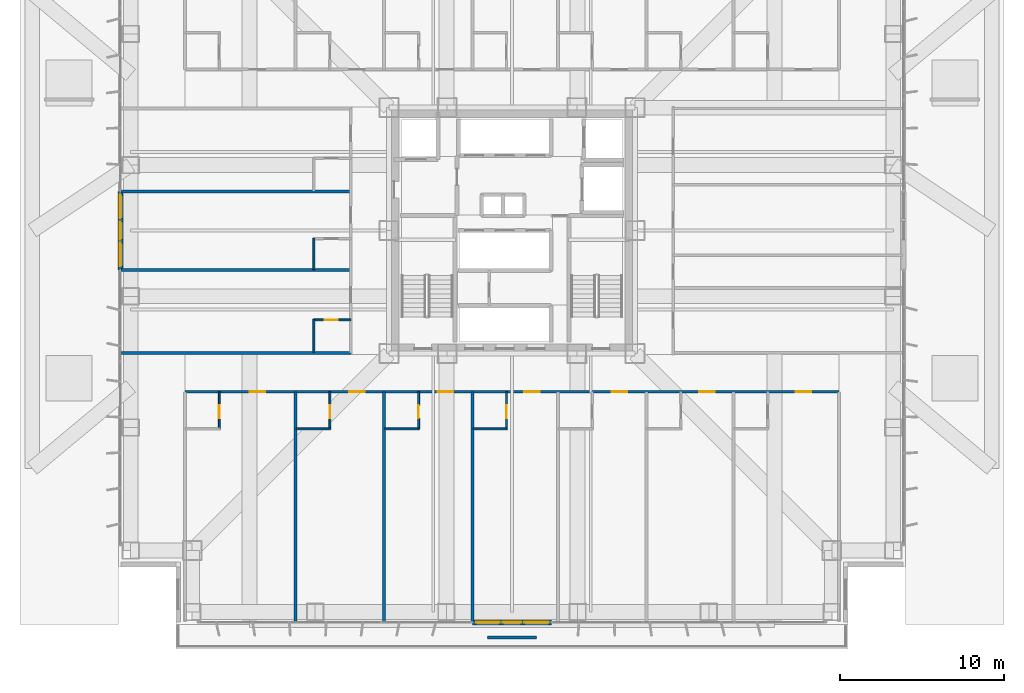
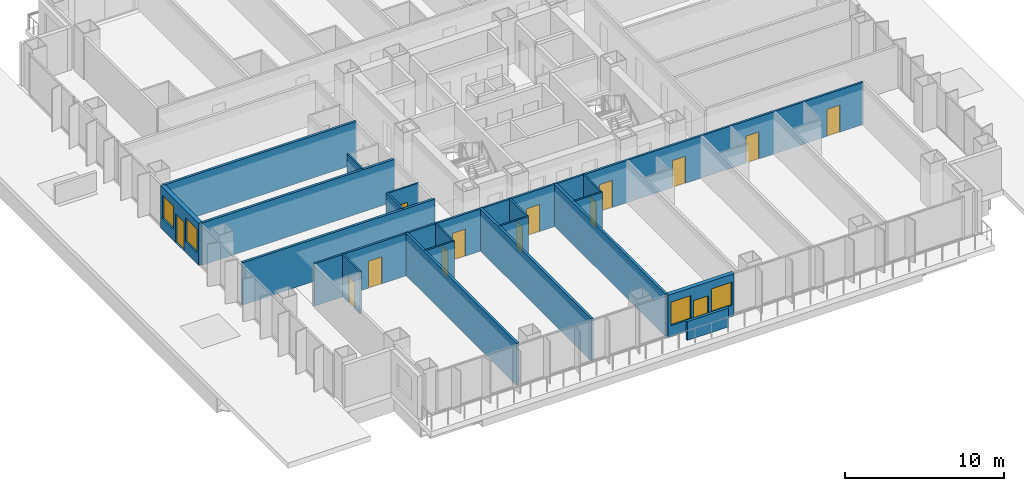
# One storey, part 15 of 24: 20 walls, 14 doors, 4 windows, 18 openings.
"""IFC4 building model written with IfcOpenShell, lengths in metres."""

from ifc_helpers import new_model, si_unit, direction, frame, frame_2d, origin, place, context, subcontext, project, spatial, rectangle, extrude, material, layer, layer_set, type_object, element, fill, save


model = new_model("IFC4")

# Units and contexts
model_context = context("Model", 3, precision=1e-05, world=origin(), true_north=direction((0.0, 1.0)))
body_context = subcontext(model_context, "Body", "Model", "MODEL_VIEW")
ifc_project = project(units=[si_unit("LENGTHUNIT", "METRE"), si_unit("AREAUNIT", "SQUARE_METRE"), si_unit("VOLUMEUNIT", "CUBIC_METRE"), si_unit("PLANEANGLEUNIT", "RADIAN"), si_unit("MASSUNIT", "GRAM", prefix="KILO")], contexts=[model_context])

# Site, building, storey
site_placement = place(None, origin())
site = spatial("IfcSite", under=ifc_project, at=site_placement, CompositionType="ELEMENT")
building_placement = place(site_placement, origin())
building = spatial("IfcBuilding", under=site, at=building_placement, Name="Trevonay Congress Spire", CompositionType="ELEMENT")
storey_placement = place(building_placement, frame((0.0, 0.0, 27.0)))
storey = spatial("IfcBuildingStorey", under=building, at=storey_placement, Name="L05", CompositionType="ELEMENT", Elevation=27.0)

# Wall, opening, door
ifc_material_1 = material(Name="Concrete C40/50", Category="concrete")
ifc_layer_1 = layer(ifc_material_1, 0.1201171875, Name="Concrete C40/50")
ifc_layer_set_1 = layer_set([ifc_layer_1], Name="Concrete C40/50")
wall_type_1 = type_object("IfcWallType", Name="WAL-BATH-120", PredefinedType="PLUMBINGWALL", material=ifc_layer_set_1)
wall_1_placement = place(storey_placement, frame((-17.85009765625, -12.080078125, 0.0), z_axis=(0.0, 0.0, 1.0), x_axis=(0.0, 1.0, 0.0)))
wall_1 = element("IfcWall", 1, at=wall_1_placement, inside=storey, type_object=wall_type_1, Name="L05 interior wall WH-L05S-BS1", PredefinedType="PLUMBINGWALL", context=body_context, shape_type="SweptSolid", body=[
    extrude(rectangle(XDim=2.25, YDim=0.1201171875, at=frame_2d((1.125, 0.0))), origin(), (0.0, 0.0, 1.0), 3.25),
])
opening_1_placement = place(wall_1_placement, frame((0.64990234375, 0.0, 0.0)))
opening_1 = element("IfcOpeningElement", 2, at=opening_1_placement, cuts=wall_1, Name="Opening D11", PredefinedType="OPENING", context=body_context, shape_type="SweptSolid", body=[
    extrude(rectangle(XDim=0.800048828125, YDim=2.050048828125, at=frame_2d((0.39990234375, 1.02490234375))), frame((0.0, 0.070068359375, 0.0), z_axis=(0.0, -1.0, 0.0), x_axis=(1.0, 0.0, 0.0)), (0.0, 0.0, 1.0), 0.14013671875),
])
ifc_material_2 = material(Name="Pale Anodised Aluminium EN AW-6063-T6", Category="aluminium")
door_type_1 = type_object("IfcDoorType", Name="DOR-BATH-80", OperationType="NOTDEFINED", PredefinedType="DOOR", material=ifc_material_2)
door_1_placement = place(opening_1_placement, origin())
door_1 = element("IfcDoor", 3, at=door_1_placement, inside=storey, type_object=door_type_1, Name="L05 En-suite Bathroom Door", OperationType="SINGLE_SWING_RIGHT", OverallHeight=2.050048828125, OverallWidth=0.800048828125, PredefinedType="DOOR", context=body_context, shape_type="SweptSolid", body=[
    extrude(rectangle(XDim=0.800048828125, YDim=2.050048828125, at=frame_2d((0.39990234375, 1.02490234375))), frame((0.0, 0.02490234375, 0.0), z_axis=(0.0, -1.0, 0.0), x_axis=(1.0, 0.0, 0.0)), (0.0, 0.0, 1.0), 0.050048828125),
])
fill(opening_1, door_1)

wall_2_placement = place(storey_placement, frame((-11.10009765625, -12.080078125, 0.0), z_axis=(0.0, 0.0, 1.0), x_axis=(0.0, 1.0, 0.0)))
wall_2 = element("IfcWall", 4, at=wall_2_placement, inside=storey, type_object=wall_type_1, Name="L05 interior wall WH-L05S-BS2", PredefinedType="PLUMBINGWALL", context=body_context, shape_type="SweptSolid", body=[
    extrude(rectangle(XDim=2.25, YDim=0.1201171875, at=frame_2d((1.125, 0.0))), origin(), (0.0, 0.0, 1.0), 3.25),
])
opening_2_placement = place(wall_2_placement, frame((0.64990234375, 0.0, 0.0)))
opening_2 = element("IfcOpeningElement", 5, at=opening_2_placement, cuts=wall_2, Name="Opening D11", PredefinedType="OPENING", context=body_context, shape_type="SweptSolid", body=[
    extrude(rectangle(XDim=0.800048828125, YDim=2.050048828125, at=frame_2d((0.39990234375, 1.02490234375))), frame((0.0, 0.070068359375, 0.0), z_axis=(0.0, -1.0, 0.0), x_axis=(1.0, 0.0, 0.0)), (0.0, 0.0, 1.0), 0.14013671875),
])
door_2_placement = place(opening_2_placement, origin())
door_2 = element("IfcDoor", 6, at=door_2_placement, inside=storey, type_object=door_type_1, Name="L05 En-suite Bathroom Door", OperationType="SINGLE_SWING_LEFT", OverallHeight=2.050048828125, OverallWidth=0.800048828125, PredefinedType="DOOR", context=body_context, shape_type="SweptSolid", body=[
    extrude(rectangle(XDim=0.800048828125, YDim=2.050048828125, at=frame_2d((0.39990234375, 1.02490234375))), frame((0.0, 0.02490234375, 0.0), z_axis=(0.0, -1.0, 0.0), x_axis=(1.0, 0.0, 0.0)), (0.0, 0.0, 1.0), 0.050048828125),
])
fill(opening_2, door_2)

# Wall
wall_3_placement = place(storey_placement, frame((-13.169921875, -12.080078125, 0.0), z_axis=(0.0, 0.0, 1.0), x_axis=(1.0, 0.0, 0.0)))
element("IfcWall", 7, at=wall_3_placement, inside=storey, type_object=wall_type_1, Name="L05 interior wall WH-L05S-BF2", PredefinedType="PLUMBINGWALL", context=body_context, shape_type="SweptSolid", body=[
    extrude(rectangle(XDim=2.099853515625, YDim=0.1201171875, at=frame_2d((1.0498046875, 0.0))), origin(), (0.0, 0.0, 1.0), 3.25),
])

# Wall, opening, door
wall_4_placement = place(storey_placement, frame((-5.699951171875, -12.080078125, 0.0), z_axis=(0.0, 0.0, 1.0), x_axis=(0.0, 1.0, 0.0)))
wall_4 = element("IfcWall", 8, at=wall_4_placement, inside=storey, type_object=wall_type_1, Name="L05 interior wall WH-L05S-BS3", PredefinedType="PLUMBINGWALL", context=body_context, shape_type="SweptSolid", body=[
    extrude(rectangle(XDim=2.25, YDim=0.1201171875, at=frame_2d((1.125, 0.0))), origin(), (0.0, 0.0, 1.0), 3.25),
])
opening_3_placement = place(wall_4_placement, frame((0.64990234375, 0.0, 0.0)))
opening_3 = element("IfcOpeningElement", 9, at=opening_3_placement, cuts=wall_4, Name="Opening D11", PredefinedType="OPENING", context=body_context, shape_type="SweptSolid", body=[
    extrude(rectangle(XDim=0.800048828125, YDim=2.050048828125, at=frame_2d((0.39990234375, 1.02490234375))), frame((0.0, 0.070068359375, 0.0), z_axis=(0.0, -1.0, 0.0), x_axis=(1.0, 0.0, 0.0)), (0.0, 0.0, 1.0), 0.14013671875),
])
door_3_placement = place(opening_3_placement, origin())
door_3 = element("IfcDoor", 10, at=door_3_placement, inside=storey, type_object=door_type_1, Name="L05 En-suite Bathroom Door", OperationType="SINGLE_SWING_RIGHT", OverallHeight=2.050048828125, OverallWidth=0.800048828125, PredefinedType="DOOR", context=body_context, shape_type="SweptSolid", body=[
    extrude(rectangle(XDim=0.800048828125, YDim=2.050048828125, at=frame_2d((0.39990234375, 1.02490234375))), frame((0.0, 0.02490234375, 0.0), z_axis=(0.0, -1.0, 0.0), x_axis=(1.0, 0.0, 0.0)), (0.0, 0.0, 1.0), 0.050048828125),
])
fill(opening_3, door_3)

# Wall
wall_5_placement = place(storey_placement, frame((-7.77001953125, -12.080078125, 0.0), z_axis=(0.0, 0.0, 1.0), x_axis=(1.0, 0.0, 0.0)))
element("IfcWall", 11, at=wall_5_placement, inside=storey, type_object=wall_type_1, Name="L05 interior wall WH-L05S-BF3", PredefinedType="PLUMBINGWALL", context=body_context, shape_type="SweptSolid", body=[
    extrude(rectangle(XDim=2.10009765625, YDim=0.1201171875, at=frame_2d((1.050048828125, 0.0))), origin(), (0.0, 0.0, 1.0), 3.25),
])

# Wall, opening, door
wall_6_placement = place(storey_placement, frame((-0.3349609375, -12.080078125, 0.0), z_axis=(0.0, 0.0, 1.0), x_axis=(0.0, 1.0, 0.0)))
wall_6 = element("IfcWall", 12, at=wall_6_placement, inside=storey, type_object=wall_type_1, Name="L05 interior wall WH-L05S-BS4", PredefinedType="PLUMBINGWALL", context=body_context, shape_type="SweptSolid", body=[
    extrude(rectangle(XDim=2.25, YDim=0.1201171875, at=frame_2d((1.125, 0.0))), origin(), (0.0, 0.0, 1.0), 3.25),
])
opening_4_placement = place(wall_6_placement, frame((0.64990234375, 0.0, 0.0)))
opening_4 = element("IfcOpeningElement", 13, at=opening_4_placement, cuts=wall_6, Name="Opening D11", PredefinedType="OPENING", context=body_context, shape_type="SweptSolid", body=[
    extrude(rectangle(XDim=0.800048828125, YDim=2.050048828125, at=frame_2d((0.39990234375, 1.02490234375))), frame((0.0, 0.070068359375, 0.0), z_axis=(0.0, -1.0, 0.0), x_axis=(1.0, 0.0, 0.0)), (0.0, 0.0, 1.0), 0.14013671875),
])
door_4_placement = place(opening_4_placement, origin())
door_4 = element("IfcDoor", 14, at=door_4_placement, inside=storey, type_object=door_type_1, Name="L05 En-suite Bathroom Door", OperationType="SINGLE_SWING_LEFT", OverallHeight=2.050048828125, OverallWidth=0.800048828125, PredefinedType="DOOR", context=body_context, shape_type="SweptSolid", body=[
    extrude(rectangle(XDim=0.800048828125, YDim=2.050048828125, at=frame_2d((0.39990234375, 1.02490234375))), frame((0.0, 0.02490234375, 0.0), z_axis=(0.0, -1.0, 0.0), x_axis=(1.0, 0.0, 0.0)), (0.0, 0.0, 1.0), 0.050048828125),
])
fill(opening_4, door_4)

# Wall
wall_7_placement = place(storey_placement, frame((-2.3701171875, -12.080078125, 0.0), z_axis=(0.0, 0.0, 1.0), x_axis=(1.0, 0.0, 0.0)))
element("IfcWall", 15, at=wall_7_placement, inside=storey, type_object=wall_type_1, Name="L05 interior wall WH-L05S-BF4", PredefinedType="PLUMBINGWALL", context=body_context, shape_type="SweptSolid", body=[
    extrude(rectangle(XDim=2.065185546875, YDim=0.1201171875, at=frame_2d((1.03271484375, 0.0))), origin(), (0.0, 0.0, 1.0), 3.25),
])

# Wall, opening, door
wall_8_placement = place(storey_placement, frame((-12.080078125, -5.44189453125, 0.0), z_axis=(0.0, 0.0, 1.0), x_axis=(1.0, 0.0, 0.0)))
wall_8 = element("IfcWall", 16, at=wall_8_placement, inside=storey, type_object=wall_type_1, Name="L05 interior wall WH-L05W-BS1", PredefinedType="PLUMBINGWALL", context=body_context, shape_type="SweptSolid", body=[
    extrude(rectangle(XDim=2.25, YDim=0.1201171875, at=frame_2d((1.125, 0.0))), origin(), (0.0, 0.0, 1.0), 3.25),
])
opening_5_placement = place(wall_8_placement, frame((0.64990234375, 0.0, 0.0)))
opening_5 = element("IfcOpeningElement", 17, at=opening_5_placement, cuts=wall_8, Name="Opening D11", PredefinedType="OPENING", context=body_context, shape_type="SweptSolid", body=[
    extrude(rectangle(XDim=0.800048828125, YDim=2.050048828125, at=frame_2d((0.39990234375, 1.02490234375))), frame((0.0, 0.070068359375, 0.0), z_axis=(0.0, -1.0, 0.0), x_axis=(1.0, 0.0, 0.0)), (0.0, 0.0, 1.0), 0.14013671875),
])
door_5_placement = place(opening_5_placement, origin())
door_5 = element("IfcDoor", 18, at=door_5_placement, inside=storey, type_object=door_type_1, Name="L05 En-suite Bathroom Door", OperationType="SINGLE_SWING_RIGHT", OverallHeight=2.050048828125, OverallWidth=0.800048828125, PredefinedType="DOOR", context=body_context, shape_type="SweptSolid", body=[
    extrude(rectangle(XDim=0.800048828125, YDim=2.050048828125, at=frame_2d((0.39990234375, 1.02490234375))), frame((0.0, 0.02490234375, 0.0), z_axis=(0.0, -1.0, 0.0), x_axis=(1.0, 0.0, 0.0)), (0.0, 0.0, 1.0), 0.050048828125),
])
fill(opening_5, door_5)

# Walls
wall_9_placement = place(storey_placement, frame((-12.080078125, -7.419921875, 0.0), z_axis=(0.0, 0.0, 1.0), x_axis=(0.0, 1.0, 0.0)))
element("IfcWall", 19, at=wall_9_placement, inside=storey, type_object=wall_type_1, Name="L05 interior wall WH-L05W-BF1", PredefinedType="PLUMBINGWALL", context=body_context, shape_type="SweptSolid", body=[
    extrude(rectangle(XDim=2.0078125, YDim=0.1201171875, at=frame_2d((1.00390625, 0.0))), origin(), (0.0, 0.0, 1.0), 3.25),
])
wall_10_placement = place(storey_placement, frame((-12.080078125, -2.3701171875, 0.0), z_axis=(0.0, 0.0, 1.0), x_axis=(0.0, 1.0, 0.0)))
element("IfcWall", 20, at=wall_10_placement, inside=storey, type_object=wall_type_1, Name="L05 interior wall WH-L05W-BF2", PredefinedType="PLUMBINGWALL", context=body_context, shape_type="SweptSolid", body=[
    extrude(rectangle(XDim=1.9130859375, YDim=0.1201171875, at=frame_2d((0.95654296875, 0.0))), origin(), (0.0, 0.0, 1.0), 3.25),
])

# Wall, openings, doors
ifc_layer_2 = layer(ifc_material_1, 0.14990234375, Name="Concrete C40/50")
ifc_layer_set_2 = layer_set([ifc_layer_2], Name="Concrete C40/50")
wall_type_2 = type_object("IfcWallType", Name="WAL-CORR-150", PredefinedType="PARTITIONING", material=ifc_layer_set_2)
wall_11_placement = place(storey_placement, frame((-19.949951171875, -9.830078125, 0.0), z_axis=(0.0, 0.0, 1.0), x_axis=(1.0, 0.0, 0.0)))
wall_11 = element("IfcWall", 21, at=wall_11_placement, inside=storey, type_object=wall_type_2, Name="L05 interior wall WH-L05S-COR", PredefinedType="PARTITIONING", context=body_context, shape_type="SweptSolid", body=[
    extrude(rectangle(XDim=39.89990234375, YDim=0.14990234375, at=frame_2d((19.949951171875, 0.0))), origin(), (0.0, 0.0, 1.0), 3.25),
])
opening_6_placement = place(wall_11_placement, frame((3.945068359375, 0.0, 0.0)))
opening_6 = element("IfcOpeningElement", 22, at=opening_6_placement, cuts=wall_11, Name="Opening D08", PredefinedType="OPENING", context=body_context, shape_type="SweptSolid", body=[
    extrude(rectangle(XDim=0.949951171875, YDim=2.080078125, at=frame_2d((0.47509765625, 1.0400390625))), frame((0.0, 0.0849609375, 0.0), z_axis=(0.0, -1.0, 0.0), x_axis=(1.0, 0.0, 0.0)), (0.0, 0.0, 1.0), 0.169921875),
])
opening_7_placement = place(wall_11_placement, frame((10.02001953125, 0.0, 0.0)))
opening_7 = element("IfcOpeningElement", 23, at=opening_7_placement, cuts=wall_11, Name="Opening D08", PredefinedType="OPENING", context=body_context, shape_type="SweptSolid", body=[
    extrude(rectangle(XDim=0.949951171875, YDim=2.080078125, at=frame_2d((0.47509765625, 1.0400390625))), frame((0.0, 0.0849609375, 0.0), z_axis=(0.0, -1.0, 0.0), x_axis=(1.0, 0.0, 0.0)), (0.0, 0.0, 1.0), 0.169921875),
])
opening_8_placement = place(wall_11_placement, frame((15.419921875, 0.0, 0.0)))
opening_8 = element("IfcOpeningElement", 24, at=opening_8_placement, cuts=wall_11, Name="Opening D08", PredefinedType="OPENING", context=body_context, shape_type="SweptSolid", body=[
    extrude(rectangle(XDim=0.949951171875, YDim=2.080078125, at=frame_2d((0.47509765625, 1.0400390625))), frame((0.0, 0.0849609375, 0.0), z_axis=(0.0, -1.0, 0.0), x_axis=(1.0, 0.0, 0.0)), (0.0, 0.0, 1.0), 0.169921875),
])
opening_9_placement = place(wall_11_placement, frame((20.702392578125, 0.0, 0.0)))
opening_9 = element("IfcOpeningElement", 25, at=opening_9_placement, cuts=wall_11, Name="Opening D08", PredefinedType="OPENING", context=body_context, shape_type="SweptSolid", body=[
    extrude(rectangle(XDim=0.949951171875, YDim=2.080078125, at=frame_2d((0.47509765625, 1.0400390625))), frame((0.0, 0.0849609375, 0.0), z_axis=(0.0, -1.0, 0.0), x_axis=(1.0, 0.0, 0.0)), (0.0, 0.0, 1.0), 0.169921875),
])
opening_10_placement = place(wall_11_placement, frame((26.02001953125, 0.0, 0.0)))
opening_10 = element("IfcOpeningElement", 26, at=opening_10_placement, cuts=wall_11, Name="Opening D08", PredefinedType="OPENING", context=body_context, shape_type="SweptSolid", body=[
    extrude(rectangle(XDim=0.949951171875, YDim=2.080078125, at=frame_2d((0.47509765625, 1.0400390625))), frame((0.0, 0.0849609375, 0.0), z_axis=(0.0, -1.0, 0.0), x_axis=(1.0, 0.0, 0.0)), (0.0, 0.0, 1.0), 0.169921875),
])
opening_11_placement = place(wall_11_placement, frame((31.3701171875, 0.0, 0.0)))
opening_11 = element("IfcOpeningElement", 27, at=opening_11_placement, cuts=wall_11, Name="Opening D08", PredefinedType="OPENING", context=body_context, shape_type="SweptSolid", body=[
    extrude(rectangle(XDim=0.949951171875, YDim=2.080078125, at=frame_2d((0.47509765625, 1.0400390625))), frame((0.0, 0.0849609375, 0.0), z_axis=(0.0, -1.0, 0.0), x_axis=(1.0, 0.0, 0.0)), (0.0, 0.0, 1.0), 0.169921875),
])
opening_12_placement = place(wall_11_placement, frame((37.2451171875, 0.0, 0.0)))
opening_12 = element("IfcOpeningElement", 28, at=opening_12_placement, cuts=wall_11, Name="Opening D08", PredefinedType="OPENING", context=body_context, shape_type="SweptSolid", body=[
    extrude(rectangle(XDim=0.949951171875, YDim=2.080078125, at=frame_2d((0.47509765625, 1.0400390625))), frame((0.0, 0.0849609375, 0.0), z_axis=(0.0, -1.0, 0.0), x_axis=(1.0, 0.0, 0.0)), (0.0, 0.0, 1.0), 0.169921875),
])
door_type_2 = type_object("IfcDoorType", Name="DOR-SUITE-95", OperationType="NOTDEFINED", PredefinedType="DOOR", material=ifc_material_2)
door_6_placement = place(opening_6_placement, origin())
door_6 = element("IfcDoor", 29, at=door_6_placement, inside=storey, type_object=door_type_2, Name="L05 Corner Hotel Suite Entrance Door", OperationType="SINGLE_SWING_LEFT", OverallHeight=2.080078125, OverallWidth=0.949951171875, PredefinedType="DOOR", context=body_context, shape_type="SweptSolid", body=[
    extrude(rectangle(XDim=0.949951171875, YDim=2.080078125, at=frame_2d((0.47509765625, 1.0400390625))), frame((0.0, 0.02490234375, 0.0), z_axis=(0.0, -1.0, 0.0), x_axis=(1.0, 0.0, 0.0)), (0.0, 0.0, 1.0), 0.050048828125),
])
fill(opening_6, door_6)
door_7_placement = place(opening_7_placement, origin())
door_7 = element("IfcDoor", 30, at=door_7_placement, inside=storey, type_object=door_type_2, Name="L05 Hotel Guest Room Entrance Door", OperationType="SINGLE_SWING_RIGHT", OverallHeight=2.080078125, OverallWidth=0.949951171875, PredefinedType="DOOR", context=body_context, shape_type="SweptSolid", body=[
    extrude(rectangle(XDim=0.949951171875, YDim=2.080078125, at=frame_2d((0.47509765625, 1.0400390625))), frame((0.0, 0.02490234375, 0.0), z_axis=(0.0, -1.0, 0.0), x_axis=(1.0, 0.0, 0.0)), (0.0, 0.0, 1.0), 0.050048828125),
])
fill(opening_7, door_7)
door_8_placement = place(opening_8_placement, origin())
door_8 = element("IfcDoor", 31, at=door_8_placement, inside=storey, type_object=door_type_2, Name="L05 Hotel Guest Room Entrance Door", OperationType="SINGLE_SWING_LEFT", OverallHeight=2.080078125, OverallWidth=0.949951171875, PredefinedType="DOOR", context=body_context, shape_type="SweptSolid", body=[
    extrude(rectangle(XDim=0.949951171875, YDim=2.080078125, at=frame_2d((0.47509765625, 1.0400390625))), frame((0.0, 0.02490234375, 0.0), z_axis=(0.0, -1.0, 0.0), x_axis=(1.0, 0.0, 0.0)), (0.0, 0.0, 1.0), 0.050048828125),
])
fill(opening_8, door_8)
door_9_placement = place(opening_9_placement, origin())
door_9 = element("IfcDoor", 32, at=door_9_placement, inside=storey, type_object=door_type_2, Name="L05 Hotel Guest Room Entrance Door", OperationType="SINGLE_SWING_RIGHT", OverallHeight=2.080078125, OverallWidth=0.949951171875, PredefinedType="DOOR", context=body_context, shape_type="SweptSolid", body=[
    extrude(rectangle(XDim=0.949951171875, YDim=2.080078125, at=frame_2d((0.47509765625, 1.0400390625))), frame((0.0, 0.02490234375, 0.0), z_axis=(0.0, -1.0, 0.0), x_axis=(1.0, 0.0, 0.0)), (0.0, 0.0, 1.0), 0.050048828125),
])
fill(opening_9, door_9)
door_10_placement = place(opening_10_placement, origin())
door_10 = element("IfcDoor", 33, at=door_10_placement, inside=storey, type_object=door_type_2, Name="L05 Hotel Guest Room Entrance Door", OperationType="SINGLE_SWING_LEFT", OverallHeight=2.080078125, OverallWidth=0.949951171875, PredefinedType="DOOR", context=body_context, shape_type="SweptSolid", body=[
    extrude(rectangle(XDim=0.949951171875, YDim=2.080078125, at=frame_2d((0.47509765625, 1.0400390625))), frame((0.0, 0.02490234375, 0.0), z_axis=(0.0, -1.0, 0.0), x_axis=(1.0, 0.0, 0.0)), (0.0, 0.0, 1.0), 0.050048828125),
])
fill(opening_10, door_10)
door_11_placement = place(opening_11_placement, origin())
door_11 = element("IfcDoor", 34, at=door_11_placement, inside=storey, type_object=door_type_2, Name="L05 Hotel Guest Room Entrance Door", OperationType="SINGLE_SWING_RIGHT", OverallHeight=2.080078125, OverallWidth=0.949951171875, PredefinedType="DOOR", context=body_context, shape_type="SweptSolid", body=[
    extrude(rectangle(XDim=0.949951171875, YDim=2.080078125, at=frame_2d((0.47509765625, 1.0400390625))), frame((0.0, 0.02490234375, 0.0), z_axis=(0.0, -1.0, 0.0), x_axis=(1.0, 0.0, 0.0)), (0.0, 0.0, 1.0), 0.050048828125),
])
fill(opening_11, door_11)
door_12_placement = place(opening_12_placement, origin())
door_12 = element("IfcDoor", 35, at=door_12_placement, inside=storey, type_object=door_type_2, Name="L05 Corner Hotel Suite Entrance Door", OperationType="SINGLE_SWING_LEFT", OverallHeight=2.080078125, OverallWidth=0.949951171875, PredefinedType="DOOR", context=body_context, shape_type="SweptSolid", body=[
    extrude(rectangle(XDim=0.949951171875, YDim=2.080078125, at=frame_2d((0.47509765625, 1.0400390625))), frame((0.0, 0.02490234375, 0.0), z_axis=(0.0, -1.0, 0.0), x_axis=(1.0, 0.0, 0.0)), (0.0, 0.0, 1.0), 0.050048828125),
])
fill(opening_12, door_12)

# Wall, openings, door, windows
ifc_material_3 = material(Name="Precast concrete C40/50", Category="concrete")
ifc_layer_3 = layer(ifc_material_3, 0.300048828125, Name="Precast concrete C40/50")
ifc_layer_set_3 = layer_set([ifc_layer_3], Name="Precast concrete C40/50")
wall_type_3 = type_object("IfcWallType", Name="WAL-EXT-PRECAST-300", PredefinedType="SOLIDWALL", material=ifc_layer_set_3)
wall_12_placement = place(storey_placement, frame((-2.39990234375, -23.8798828125, 0.0), z_axis=(0.0, 0.0, 1.0), x_axis=(1.0, 0.0, 0.0)))
wall_12 = element("IfcWall", 36, at=wall_12_placement, inside=storey, type_object=wall_type_3, Name="L05 S glazed balcony portal exterior wall", PredefinedType="SOLIDWALL", context=body_context, shape_type="SweptSolid", body=[
    extrude(rectangle(XDim=4.7998046875, YDim=0.300048828125, at=frame_2d((2.39990234375, 0.0))), origin(), (0.0, 0.0, 1.0), 3.25),
])
opening_13_placement = place(wall_12_placement, frame((1.85009765625, 0.0, 0.0)))
opening_13 = element("IfcOpeningElement", 37, at=opening_13_placement, cuts=wall_12, Name="Opening D03", PredefinedType="OPENING", context=body_context, shape_type="SweptSolid", body=[
    extrude(rectangle(XDim=1.10009765625, YDim=2.199951171875, at=frame_2d((0.550048828125, 1.10009765625))), frame((0.0, 0.16015625, 0.0), z_axis=(0.0, -1.0, 0.0), x_axis=(1.0, 0.0, 0.0)), (0.0, 0.0, 1.0), 0.320068359375),
])
opening_14_placement = place(wall_12_placement, frame((0.219970703125, 0.0, 0.85009765625)))
opening_14 = element("IfcOpeningElement", 38, at=opening_14_placement, cuts=wall_12, Name="Opening WN06", PredefinedType="OPENING", context=body_context, shape_type="SweptSolid", body=[
    extrude(rectangle(XDim=1.429931640625, YDim=1.800048828125, at=frame_2d((0.71484375, 0.89990234375))), frame((0.0, 0.16015625, 0.0), z_axis=(0.0, -1.0, 0.0), x_axis=(1.0, 0.0, 0.0)), (0.0, 0.0, 1.0), 0.320068359375),
])
opening_15_placement = place(wall_12_placement, frame((3.14990234375, 0.0, 0.85009765625)))
opening_15 = element("IfcOpeningElement", 39, at=opening_15_placement, cuts=wall_12, Name="Opening WN03", PredefinedType="OPENING", context=body_context, shape_type="SweptSolid", body=[
    extrude(rectangle(XDim=1.5, YDim=1.800048828125, at=frame_2d((0.75, 0.89990234375))), frame((0.0, 0.16015625, 0.0), z_axis=(0.0, -1.0, 0.0), x_axis=(1.0, 0.0, 0.0)), (0.0, 0.0, 1.0), 0.320068359375),
])
door_type_3 = type_object("IfcDoorType", Name="DOR-EXT-BAL-110", OperationType="NOTDEFINED", PredefinedType="DOOR", material=ifc_material_2)
door_13_placement = place(opening_13_placement, origin())
door_13 = element("IfcDoor", 40, at=door_13_placement, inside=storey, type_object=door_type_3, Name="L05 S glazed outdoor terrace and balcony door", OperationType="SINGLE_SWING_LEFT", OverallHeight=2.199951171875, OverallWidth=1.10009765625, PredefinedType="DOOR", context=body_context, shape_type="SweptSolid", body=[
    extrude(rectangle(XDim=1.10009765625, YDim=2.199951171875, at=frame_2d((0.550048828125, 1.10009765625))), frame((0.0, 0.02490234375, 0.0), z_axis=(0.0, -1.0, 0.0), x_axis=(1.0, 0.0, 0.0)), (0.0, 0.0, 1.0), 0.050048828125),
])
fill(opening_13, door_13)
ifc_material_4 = material(Name="Insulated Low-E Vision Glass IGU", Category="glass")
window_type_1 = type_object("IfcWindowType", Name="WIN-NOTCH-150X180", PartitioningType="SINGLE_PANEL", PredefinedType="WINDOW", material=ifc_material_4)
window_1_placement = place(opening_15_placement, origin())
window_1 = element("IfcWindow", 41, at=window_1_placement, inside=storey, type_object=window_type_1, Name="L05 S balcony sidelight window R", OverallHeight=1.800048828125, OverallWidth=1.5, PartitioningType="SINGLE_PANEL", PredefinedType="WINDOW", context=body_context, shape_type="SweptSolid", body=[
    extrude(rectangle(XDim=1.5, YDim=1.800048828125, at=frame_2d((0.75, 0.89990234375))), frame((0.0, 0.030029296875, 0.0), z_axis=(0.0, -1.0, 0.0), x_axis=(1.0, 0.0, 0.0)), (0.0, 0.0, 1.0), 0.06005859375),
])
fill(opening_15, window_1)
window_type_2 = type_object("IfcWindowType", Name="WIN-SIDELIGHT-143X180", PartitioningType="SINGLE_PANEL", PredefinedType="WINDOW", material=ifc_material_4)
window_2_placement = place(opening_14_placement, origin())
window_2 = element("IfcWindow", 42, at=window_2_placement, inside=storey, type_object=window_type_2, Name="L05 S balcony sidelight window L", OverallHeight=1.800048828125, OverallWidth=1.429931640625, PartitioningType="SINGLE_PANEL", PredefinedType="WINDOW", context=body_context, shape_type="SweptSolid", body=[
    extrude(rectangle(XDim=1.429931640625, YDim=1.800048828125, at=frame_2d((0.71484375, 0.89990234375))), frame((0.0, 0.030029296875, 0.0), z_axis=(0.0, -1.0, 0.0), x_axis=(1.0, 0.0, 0.0)), (0.0, 0.0, 1.0), 0.06005859375),
])
fill(opening_14, window_2)

wall_13_placement = place(storey_placement, frame((-23.8798828125, -2.39990234375, 0.0), z_axis=(0.0, 0.0, 1.0), x_axis=(0.0, 1.0, 0.0)))
wall_13 = element("IfcWall", 43, at=wall_13_placement, inside=storey, type_object=wall_type_3, Name="L05 W glazed balcony portal exterior wall", PredefinedType="SOLIDWALL", context=body_context, shape_type="SweptSolid", body=[
    extrude(rectangle(XDim=4.7998046875, YDim=0.300048828125, at=frame_2d((2.39990234375, 0.0))), origin(), (0.0, 0.0, 1.0), 3.25),
])
opening_16_placement = place(wall_13_placement, frame((1.85009765625, 0.0, 0.0)))
opening_16 = element("IfcOpeningElement", 44, at=opening_16_placement, cuts=wall_13, Name="Opening D03", PredefinedType="OPENING", context=body_context, shape_type="SweptSolid", body=[
    extrude(rectangle(XDim=1.10009765625, YDim=2.199951171875, at=frame_2d((0.550048828125, 1.10009765625))), frame((0.0, 0.16015625, 0.0), z_axis=(0.0, -1.0, 0.0), x_axis=(1.0, 0.0, 0.0)), (0.0, 0.0, 1.0), 0.320068359375),
])
opening_17_placement = place(wall_13_placement, frame((0.219970703125, 0.0, 0.85009765625)))
opening_17 = element("IfcOpeningElement", 45, at=opening_17_placement, cuts=wall_13, Name="Opening WN06", PredefinedType="OPENING", context=body_context, shape_type="SweptSolid", body=[
    extrude(rectangle(XDim=1.429931640625, YDim=1.800048828125, at=frame_2d((0.71484375, 0.89990234375))), frame((0.0, 0.16015625, 0.0), z_axis=(0.0, -1.0, 0.0), x_axis=(1.0, 0.0, 0.0)), (0.0, 0.0, 1.0), 0.320068359375),
])
opening_18_placement = place(wall_13_placement, frame((3.14990234375, 0.0, 0.85009765625)))
opening_18 = element("IfcOpeningElement", 46, at=opening_18_placement, cuts=wall_13, Name="Opening WN06", PredefinedType="OPENING", context=body_context, shape_type="SweptSolid", body=[
    extrude(rectangle(XDim=1.429931640625, YDim=1.800048828125, at=frame_2d((0.71484375, 0.89990234375))), frame((0.0, 0.16015625, 0.0), z_axis=(0.0, -1.0, 0.0), x_axis=(1.0, 0.0, 0.0)), (0.0, 0.0, 1.0), 0.320068359375),
])
door_14_placement = place(opening_16_placement, origin())
door_14 = element("IfcDoor", 47, at=door_14_placement, inside=storey, type_object=door_type_3, Name="L05 W glazed outdoor terrace and balcony door", OperationType="SINGLE_SWING_LEFT", OverallHeight=2.199951171875, OverallWidth=1.10009765625, PredefinedType="DOOR", context=body_context, shape_type="SweptSolid", body=[
    extrude(rectangle(XDim=1.10009765625, YDim=2.199951171875, at=frame_2d((0.550048828125, 1.10009765625))), frame((0.0, 0.02490234375, 0.0), z_axis=(0.0, -1.0, 0.0), x_axis=(1.0, 0.0, 0.0)), (0.0, 0.0, 1.0), 0.050048828125),
])
fill(opening_16, door_14)
window_3_placement = place(opening_17_placement, origin())
window_3 = element("IfcWindow", 48, at=window_3_placement, inside=storey, type_object=window_type_2, Name="L05 W balcony sidelight window L", OverallHeight=1.800048828125, OverallWidth=1.429931640625, PartitioningType="SINGLE_PANEL", PredefinedType="WINDOW", context=body_context, shape_type="SweptSolid", body=[
    extrude(rectangle(XDim=1.429931640625, YDim=1.800048828125, at=frame_2d((0.71484375, 0.89990234375))), frame((0.0, 0.030029296875, 0.0), z_axis=(0.0, -1.0, 0.0), x_axis=(1.0, 0.0, 0.0)), (0.0, 0.0, 1.0), 0.06005859375),
])
fill(opening_17, window_3)
window_4_placement = place(opening_18_placement, origin())
window_4 = element("IfcWindow", 49, at=window_4_placement, inside=storey, type_object=window_type_2, Name="L05 W balcony sidelight window R", OverallHeight=1.800048828125, OverallWidth=1.429931640625, PartitioningType="SINGLE_PANEL", PredefinedType="WINDOW", context=body_context, shape_type="SweptSolid", body=[
    extrude(rectangle(XDim=1.429931640625, YDim=1.800048828125, at=frame_2d((0.71484375, 0.89990234375))), frame((0.0, 0.030029296875, 0.0), z_axis=(0.0, -1.0, 0.0), x_axis=(1.0, 0.0, 0.0)), (0.0, 0.0, 1.0), 0.06005859375),
])
fill(opening_18, window_4)

# Walls
ifc_layer_4 = layer(ifc_material_1, 0.179931640625, Name="Concrete C40/50")
ifc_layer_set_4 = layer_set([ifc_layer_4], Name="Concrete C40/50")
wall_type_4 = type_object("IfcWallType", Name="WAL-HOTEL-180", PredefinedType="PARTITIONING", material=ifc_layer_set_4)
for number, where, z_axis, x_axis, name in (
    (50, (-13.199951171875, -23.820068359375, 0.0), (0.0, 0.0, 1.0), (0.0, 1.0, 0.0), "L05 interior wall WH-L05S-DIV2"),
    (51, (-7.800048828125, -23.820068359375, 0.0), (0.0, 0.0, 1.0), (0.0, 1.0, 0.0), "L05 interior wall WH-L05S-DIV3"),
    (52, (-2.39990234375, -23.820068359375, 0.0), (0.0, 0.0, 1.0), (0.0, 1.0, 0.0), "L05 interior wall WH-L05S-DIV4"),
    (53, (-23.820068359375, -7.449951171875, 0.0), (0.0, 0.0, 1.0), (1.0, 0.0, 0.0), "L05 interior wall WH-L05W-DIV1"),
    (54, (-23.820068359375, -2.39990234375, 0.0), (0.0, 0.0, 1.0), (1.0, 0.0, 0.0), "L05 interior wall WH-L05W-DIV2"),
    (55, (-23.820068359375, 2.39990234375, 0.0), (0.0, 0.0, 1.0), (1.0, 0.0, 0.0), "L05 interior wall WH-L05W-DIV3"),
):
    element("IfcWall", number, at=place(storey_placement, frame(where, z_axis=z_axis, x_axis=x_axis)), inside=storey, type_object=wall_type_4, Name=name, PredefinedType="PARTITIONING", context=body_context, shape_type="SweptSolid", body=[
        extrude(rectangle(XDim=13.989990234375, YDim=0.179931640625, at=frame_2d((6.9951171875, 0.0))), origin(), (0.0, 0.0, 1.0), 3.25),
    ])
ifc_layer_5 = layer(ifc_material_3, 0.199951171875, Name="Precast concrete C40/50")
ifc_layer_set_5 = layer_set([ifc_layer_5], Name="Precast concrete C40/50")
wall_type_5 = type_object("IfcWallType", Name="WAL-TREE-PLANTER-200", PredefinedType="PARAPET", material=ifc_layer_set_5)
wall_14_placement = place(storey_placement, frame((-1.5, -24.800048828125, 0.0), z_axis=(0.0, 0.0, 1.0), x_axis=(1.0, 0.0, 0.0)))
element("IfcWall", 56, at=wall_14_placement, inside=storey, type_object=wall_type_5, Name="L05 podium roof garden tree planter kerb S", PredefinedType="PARAPET", context=body_context, shape_type="SweptSolid", body=[
    extrude(rectangle(XDim=3.0, YDim=0.199951171875, at=frame_2d((1.5, 0.0))), origin(), (0.0, 0.0, 1.0), 1.449951171875),
])

save(model, "model.ifc")
